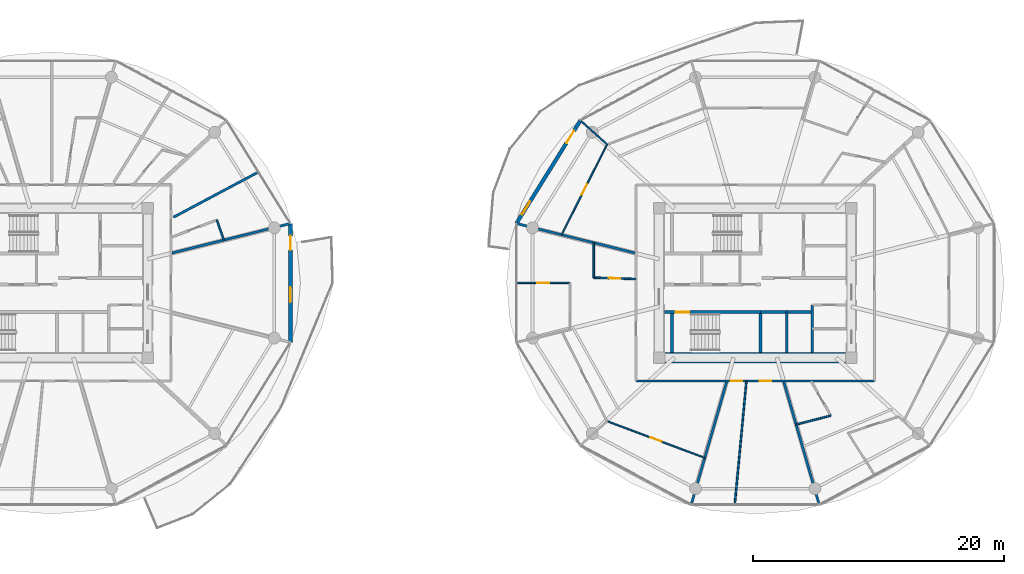
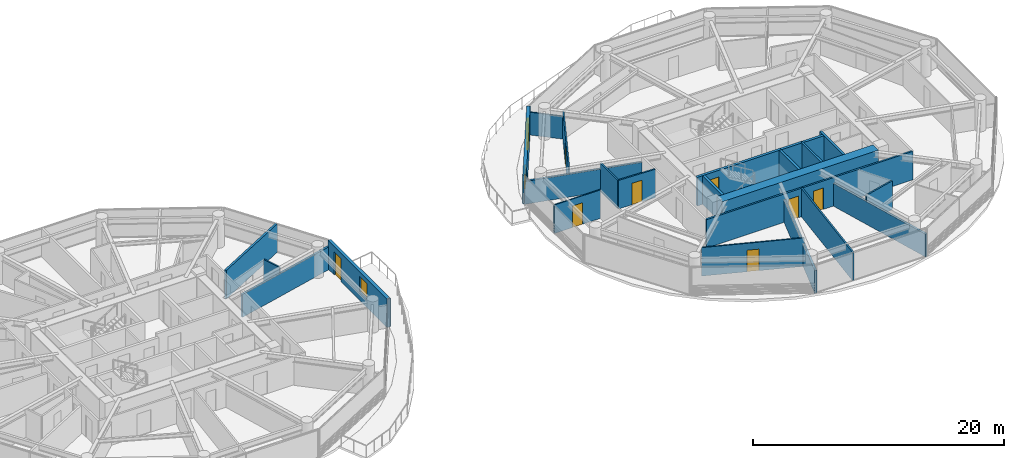
# One storey, part 18 of 27: 24 walls, 9 doors, 2 windows, 11 openings.
"""IFC4 building model written with IfcOpenShell, lengths in metres."""

from ifc_helpers import new_model, si_unit, direction, frame, frame_2d, origin, place, context, subcontext, project, spatial, rectangle, extrude, source, transform, mapped, material, layer, layer_set, type_object, type_shapes, element, fill, save


model = new_model("IFC4")

# Units and contexts
model_context = context("Model", 3, precision=1e-05, world=origin(), true_north=direction((0.0, 1.0)))
body_context = subcontext(model_context, "Body", "Model", "MODEL_VIEW")
ifc_project = project(units=[si_unit("LENGTHUNIT", "METRE"), si_unit("AREAUNIT", "SQUARE_METRE"), si_unit("VOLUMEUNIT", "CUBIC_METRE"), si_unit("PLANEANGLEUNIT", "RADIAN"), si_unit("MASSUNIT", "GRAM", prefix="KILO")], contexts=[model_context])

# Site, building, storey
site_placement = place(None, origin())
site = spatial("IfcSite", under=ifc_project, at=site_placement, CompositionType="ELEMENT")
building_placement = place(site_placement, origin())
building = spatial("IfcBuilding", under=site, at=building_placement, Name="Norrkilde Senior Care Towers", CompositionType="ELEMENT")
storey_placement = place(building_placement, frame((0.0, 0.0, 58.199951171875)))
storey = spatial("IfcBuildingStorey", under=building, at=storey_placement, Name="L17", CompositionType="ELEMENT", Elevation=58.199951171875)

# Wall
ifc_material_1 = material(Name="Concrete C60/75", Category="concrete")
ifc_layer_1 = layer(ifc_material_1, 0.85009765625)
ifc_layer_set_1 = layer_set([ifc_layer_1], Name="Concrete C60/75")
wall_type_1 = type_object("IfcWallType", Name="Core Shear Wall Z1 850", PredefinedType="SHEAR", material=ifc_layer_set_1)
shared_shape_1 = source(origin(), body_context, "Body", "SweptSolid", [
    extrude(rectangle(XDim=14.39990234375, YDim=0.85009765625, at=frame_2d((7.199951171875, 0.0))), origin(), (0.0, 0.0, 1.0), 2.7900390625),
])
type_shapes(wall_type_1, [shared_shape_1])
wall_1_placement = place(storey_placement, frame((35.199951171875, -5.949951171875, 0.0), z_axis=(0.0, 0.0, 1.0), x_axis=(-1.0, 0.0, 0.0)))
element("IfcWall", 1, at=wall_1_placement, inside=storey, type_object=wall_type_1, Name="L17 Core E South Shear Wall", PredefinedType="SHEAR", context=body_context, shape_type="MappedRepresentation", body=[
    mapped(shared_shape_1, transform((0.0, 0.0, 0.0), x_axis=(1.0, 0.0, 0.0), y_axis=(0.0, 1.0, 0.0), z_axis=(0.0, 0.0, 1.0), scale=1.0)),
])

# Wall, openings, door, window
ifc_material_2 = material(Name="Precast concrete C45/55", Category="concrete")
ifc_layer_2 = layer(ifc_material_2, 0.2900390625)
ifc_layer_set_2 = layer_set([ifc_layer_2], Name="Precast concrete C45/55")
wall_type_2 = type_object("IfcWallType", Name="Winter Garden Facade Wall 290", PredefinedType="SOLIDWALL", material=ifc_layer_set_2)
shared_shape_2 = source(origin(), body_context, "Body", "SweptSolid", [
    extrude(rectangle(XDim=9.64892578125, YDim=0.2900390625, at=frame_2d((4.824462890625, 0.0))), origin(), (0.0, 0.0, 1.0), 2.7900390625),
])
wall_2_placement = place(storey_placement, frame((8.990478515625, 4.731201171875, 0.0), z_axis=(0.0, 0.0, 1.0), x_axis=(0.527909458386, 0.849300655684, 0.0)))
wall_2 = element("IfcWall", 2, at=wall_2_placement, inside=storey, type_object=wall_type_2, Name="L17 Drum E Balcony Access Wall 04", PredefinedType="SOLIDWALL", context=body_context, shape_type="MappedRepresentation", body=[
    mapped(shared_shape_2, transform((0.0, 0.0, 0.0), x_axis=(1.0, 0.0, 0.0), y_axis=(0.0, 1.0, 0.0), z_axis=(0.0, 0.0, 1.0), scale=1.0)),
])
opening_1_placement = place(wall_2_placement, frame((7.5400390625, 0.0, 0.0)))
opening_1 = element("IfcOpeningElement", 3, at=opening_1_placement, cuts=wall_2, Name="Opening D-09", PredefinedType="OPENING", context=body_context, shape_type="SweptSolid", body=[
    extrude(rectangle(XDim=1.14990234375, YDim=2.25, at=frame_2d((0.574951171875, 1.125))), frame((0.0, 0.155029296875, 0.0), z_axis=(0.0, -1.0, 0.0), x_axis=(1.0, 0.0, 0.0)), (0.0, 0.0, 1.0), 0.31005859375),
])
opening_2_placement = place(wall_2_placement, frame((0.85009765625, 0.0, 0.85009765625)))
opening_2 = element("IfcOpeningElement", 4, at=opening_2_placement, cuts=wall_2, Name="Opening WN-07", PredefinedType="OPENING", context=body_context, shape_type="SweptSolid", body=[
    extrude(rectangle(XDim=1.199951171875, YDim=1.5, at=frame_2d((0.60009765625, 0.75))), frame((0.0, 0.155029296875, 0.0), z_axis=(0.0, -1.0, 0.0), x_axis=(1.0, 0.0, 0.0)), (0.0, 0.0, 1.0), 0.31005859375),
])
ifc_material_3 = material(Name="Anodised Aluminium", Category="aluminium")
door_type_1 = type_object("IfcDoorType", Name="Terrace and Balcony Glazed Door 1150x2250", OperationType="NOTDEFINED", PredefinedType="DOOR", material=ifc_material_3)
shared_shape_3 = source(origin(), body_context, "Body", "SweptSolid", [
    extrude(rectangle(XDim=1.14990234375, YDim=2.25, at=frame_2d((0.574951171875, 1.125))), frame((0.0, 0.02490234375, 0.0), z_axis=(0.0, -1.0, 0.0), x_axis=(1.0, 0.0, 0.0)), (0.0, 0.0, 1.0), 0.050048828125),
])
type_shapes(door_type_1, [shared_shape_3])
door_1_placement = place(opening_1_placement, origin())
door_1 = element("IfcDoor", 5, at=door_1_placement, inside=storey, type_object=door_type_1, Name="L17 Drum E Outdoor Terrace Door 04", OperationType="SINGLE_SWING_LEFT", OverallHeight=2.25, OverallWidth=1.14990234375, PredefinedType="DOOR", context=body_context, shape_type="MappedRepresentation", body=[
    mapped(shared_shape_3, transform((0.0, 0.0, 0.0), x_axis=(1.0, 0.0, 0.0), y_axis=(0.0, 1.0, 0.0), z_axis=(0.0, 0.0, 1.0), scale=1.0)),
])
fill(opening_1, door_1)
ifc_material_4 = material(Name="Triple Low-E Insulated Glazing", Category="glass")
window_type = type_object("IfcWindowType", Name="Stairwell Smoke Vent Window 1200x1500", PartitioningType="SINGLE_PANEL", PredefinedType="WINDOW", material=ifc_material_4)
shared_shape_4 = source(origin(), body_context, "Body", "SweptSolid", [
    extrude(rectangle(XDim=1.199951171875, YDim=1.5, at=frame_2d((0.60009765625, 0.75))), frame((0.0, 0.030029296875, 0.0), z_axis=(0.0, -1.0, 0.0), x_axis=(1.0, 0.0, 0.0)), (0.0, 0.0, 1.0), 0.06005859375),
])
type_shapes(window_type, [shared_shape_4])
window_1_placement = place(opening_2_placement, origin())
window_1 = element("IfcWindow", 6, at=window_1_placement, inside=storey, type_object=window_type, Name="L17 Drum E Winter Garden Window 04", OverallHeight=1.5, OverallWidth=1.199951171875, PartitioningType="SINGLE_PANEL", PredefinedType="WINDOW", context=body_context, shape_type="MappedRepresentation", body=[
    mapped(shared_shape_4, transform((0.0, 0.0, 0.0), x_axis=(1.0, 0.0, 0.0), y_axis=(0.0, 1.0, 0.0), z_axis=(0.0, 0.0, 1.0), scale=1.0)),
])
fill(opening_2, window_1)

shared_shape_5 = source(origin(), body_context, "Body", "SweptSolid", [
    extrude(rectangle(XDim=9.46240234375, YDim=0.2900390625, at=frame_2d((4.731201171875, 0.0))), origin(), (0.0, 0.0, 1.0), 2.7900390625),
])
type_shapes(wall_type_2, [shared_shape_2, shared_shape_5])
wall_3_placement = place(storey_placement, frame((-8.990478515625, 4.731201171875, 0.0), z_axis=(0.0, 0.0, 1.0), x_axis=(0.0, -1.0, 0.0)))
wall_3 = element("IfcWall", 7, at=wall_3_placement, inside=storey, type_object=wall_type_2, Name="L17 Drum W Balcony Access Wall 11", PredefinedType="SOLIDWALL", context=body_context, shape_type="MappedRepresentation", body=[
    mapped(shared_shape_5, transform((0.0, 0.0, 0.0), x_axis=(1.0, 0.0, 0.0), y_axis=(0.0, 1.0, 0.0), z_axis=(0.0, 0.0, 1.0), scale=1.0)),
])
opening_3_placement = place(wall_3_placement, frame((0.97998046875, 0.0, 0.0)))
opening_3 = element("IfcOpeningElement", 8, at=opening_3_placement, cuts=wall_3, Name="Opening D-09", PredefinedType="OPENING", context=body_context, shape_type="SweptSolid", body=[
    extrude(rectangle(XDim=1.14990234375, YDim=2.25, at=frame_2d((0.574951171875, 1.125))), frame((0.0, 0.155029296875, 0.0), z_axis=(0.0, -1.0, 0.0), x_axis=(1.0, 0.0, 0.0)), (0.0, 0.0, 1.0), 0.31005859375),
])
opening_4_placement = place(wall_3_placement, frame((5.081298828125, 0.0, 0.85009765625)))
opening_4 = element("IfcOpeningElement", 9, at=opening_4_placement, cuts=wall_3, Name="Opening WN-07", PredefinedType="OPENING", context=body_context, shape_type="SweptSolid", body=[
    extrude(rectangle(XDim=1.199951171875, YDim=1.5, at=frame_2d((0.60009765625, 0.75))), frame((0.0, 0.155029296875, 0.0), z_axis=(0.0, -1.0, 0.0), x_axis=(1.0, 0.0, 0.0)), (0.0, 0.0, 1.0), 0.31005859375),
])
door_2_placement = place(opening_3_placement, origin())
door_2 = element("IfcDoor", 10, at=door_2_placement, inside=storey, type_object=door_type_1, Name="L17 Drum W Outdoor Terrace Door 11", OperationType="SINGLE_SWING_RIGHT", OverallHeight=2.25, OverallWidth=1.14990234375, PredefinedType="DOOR", context=body_context, shape_type="MappedRepresentation", body=[
    mapped(shared_shape_3, transform((0.0, 0.0, 0.0), x_axis=(1.0, 0.0, 0.0), y_axis=(0.0, 1.0, 0.0), z_axis=(0.0, 0.0, 1.0), scale=1.0)),
])
fill(opening_3, door_2)
window_2_placement = place(opening_4_placement, origin())
window_2 = element("IfcWindow", 11, at=window_2_placement, inside=storey, type_object=window_type, Name="L17 Drum W Winter Garden Window 11", OverallHeight=1.5, OverallWidth=1.199951171875, PartitioningType="SINGLE_PANEL", PredefinedType="WINDOW", context=body_context, shape_type="MappedRepresentation", body=[
    mapped(shared_shape_4, transform((0.0, 0.0, 0.0), x_axis=(1.0, 0.0, 0.0), y_axis=(0.0, 1.0, 0.0), z_axis=(0.0, 0.0, 1.0), scale=1.0)),
])
fill(opening_4, window_2)

# Wall, opening, door
ifc_material_5 = material(Name="Concrete C45/55", Category="concrete")
ifc_layer_3 = layer(ifc_material_5, 0.239990234375)
ifc_layer_set_3 = layer_set([ifc_layer_3], Name="Concrete C45/55")
wall_type_3 = type_object("IfcWallType", Name="Shaft and Stair Enclosure Wall 240", PredefinedType="PARTITIONING", material=ifc_layer_set_3)
shared_shape_6 = source(origin(), body_context, "Body", "SweptSolid", [
    extrude(rectangle(XDim=7.76513671875, YDim=0.239990234375, at=frame_2d((3.882568359375, 0.0))), origin(), (0.0, 0.0, 1.0), 2.7900390625),
])
wall_4_placement = place(storey_placement, frame((20.77490234375, -2.330078125, 0.0), z_axis=(0.0, 0.0, 1.0), x_axis=(1.0, 0.0, 0.0)))
wall_4 = element("IfcWall", 12, at=wall_4_placement, inside=storey, type_object=wall_type_3, Name="WL-INT-L17-E-ST2N", PredefinedType="PARTITIONING", context=body_context, shape_type="MappedRepresentation", body=[
    mapped(shared_shape_6, transform((0.0, 0.0, 0.0), x_axis=(1.0, 0.0, 0.0), y_axis=(0.0, 1.0, 0.0), z_axis=(0.0, 0.0, 1.0), scale=1.0)),
])
opening_5_placement = place(wall_4_placement, frame((0.885009765625, 0.0, 0.0)))
opening_5 = element("IfcOpeningElement", 13, at=opening_5_placement, cuts=wall_4, Name="Opening D-03", PredefinedType="OPENING", context=body_context, shape_type="SweptSolid", body=[
    extrude(rectangle(XDim=1.10009765625, YDim=2.14990234375, at=frame_2d((0.550048828125, 1.074951171875))), frame((0.0, 0.1298828125, 0.0), z_axis=(0.0, -1.0, 0.0), x_axis=(1.0, 0.0, 0.0)), (0.0, 0.0, 1.0), 0.260009765625),
])
ifc_material_6 = material(Name="Galvanised Painted Steel", Category="steel")
door_type_2 = type_object("IfcDoorType", Name="Stairwell Protected Fire Door 1100x2150", OperationType="NOTDEFINED", PredefinedType="DOOR", material=ifc_material_6)
shared_shape_7 = source(origin(), body_context, "Body", "SweptSolid", [
    extrude(rectangle(XDim=1.10009765625, YDim=2.14990234375, at=frame_2d((0.550048828125, 1.074951171875))), frame((0.0, 0.02490234375, 0.0), z_axis=(0.0, -1.0, 0.0), x_axis=(1.0, 0.0, 0.0)), (0.0, 0.0, 1.0), 0.050048828125),
])
type_shapes(door_type_2, [shared_shape_7])
door_3_placement = place(opening_5_placement, frame((1.10009765625, 0.0, 0.0), z_axis=(0.0, 0.0, 1.0), x_axis=(-1.0, 0.0, 0.0)))
door_3 = element("IfcDoor", 14, at=door_3_placement, inside=storey, type_object=door_type_2, Name="L17 Stair E2 Fire Door", OperationType="SINGLE_SWING_RIGHT", OverallHeight=2.14990234375, OverallWidth=1.10009765625, PredefinedType="DOOR", context=body_context, shape_type="MappedRepresentation", body=[
    mapped(shared_shape_7, transform((0.0, 0.0, 0.0), x_axis=(1.0, 0.0, 0.0), y_axis=(0.0, 1.0, 0.0), z_axis=(0.0, 0.0, 1.0), scale=1.0)),
])
fill(opening_5, door_3)

# Walls
shared_shape_8 = source(origin(), body_context, "Body", "SweptSolid", [
    extrude(rectangle(XDim=3.074951171875, YDim=0.239990234375, at=frame_2d((1.53759765625, 0.0))), origin(), (0.0, 0.0, 1.0), 2.7900390625),
])
type_shapes(wall_type_3, [shared_shape_6, shared_shape_8])
for number, where, z_axis, x_axis, name in (
    (15, (21.3798828125, -5.52490234375, 0.0), (0.0, 0.0, 1.0), (0.0, 1.0, 0.0), "WL-INT-L17-E-ST2W"),
    (16, (28.419921875, -5.52490234375, 0.0), (0.0, 0.0, 1.0), (0.0, 1.0, 0.0), "WL-INT-L17-E-ST2E"),
):
    element("IfcWall", number, at=place(storey_placement, frame(where, z_axis=z_axis, x_axis=x_axis)), inside=storey, type_object=wall_type_3, Name=name, PredefinedType="PARTITIONING", context=body_context, shape_type="MappedRepresentation", body=[
        mapped(shared_shape_8, transform((0.0, 0.0, 0.0), x_axis=(1.0, 0.0, 0.0), y_axis=(0.0, 1.0, 0.0), z_axis=(0.0, 0.0, 1.0), scale=1.0)),
    ])
ifc_layer_4 = layer(ifc_material_5, 0.199951171875)
ifc_layer_set_4 = layer_set([ifc_layer_4], Name="Concrete C45/55")
wall_type_4 = type_object("IfcWallType", Name="Shaft Division and Plant Partition 200", PredefinedType="PARTITIONING", material=ifc_layer_set_4)
shared_shape_9 = source(origin(), body_context, "Body", "SweptSolid", [
    extrude(rectangle(XDim=3.800048828125, YDim=0.199951171875, at=frame_2d((1.89990234375, 0.0))), origin(), (0.0, 0.0, 1.0), 2.775146484375),
])
type_shapes(wall_type_4, [shared_shape_9])
wall_5_placement = place(storey_placement, frame((32.550048828125, -5.550048828125, 0.0), z_axis=(0.0, 0.0, 1.0), x_axis=(0.0, 1.0, 0.0)))
element("IfcWall", 17, at=wall_5_placement, inside=storey, type_object=wall_type_4, Name="WL-INT-L17-E-PKBE", PredefinedType="PARTITIONING", context=body_context, shape_type="MappedRepresentation", body=[
    mapped(shared_shape_9, transform((0.0, 0.0, 0.0), x_axis=(1.0, 0.0, 0.0), y_axis=(0.0, 1.0, 0.0), z_axis=(0.0, 0.0, 1.0), scale=1.0)),
])
ifc_layer_5 = layer(ifc_material_5, 0.239990234375)
ifc_layer_set_5 = layer_set([ifc_layer_5], Name="Concrete C45/55")
wall_type_5 = type_object("IfcWallType", Name="Lift and Plant Rated Enclosure Partition 240", PredefinedType="PARTITIONING", material=ifc_layer_set_5)
shared_shape_10 = source(origin(), body_context, "Body", "SweptSolid", [
    extrude(rectangle(XDim=4.130126953125, YDim=0.239990234375, at=frame_2d((2.06494140625, 0.0))), origin(), (0.0, 0.0, 1.0), 2.775146484375),
])
type_shapes(wall_type_5, [shared_shape_10])
wall_6_placement = place(storey_placement, frame((28.419921875, -2.330078125, 0.0), z_axis=(0.0, 0.0, 1.0), x_axis=(1.0, 0.0, 0.0)))
element("IfcWall", 18, at=wall_6_placement, inside=storey, type_object=wall_type_5, Name="WL-INT-L17-E-PKBN", PredefinedType="PARTITIONING", context=body_context, shape_type="MappedRepresentation", body=[
    mapped(shared_shape_10, transform((0.0, 0.0, 0.0), x_axis=(1.0, 0.0, 0.0), y_axis=(0.0, 1.0, 0.0), z_axis=(0.0, 0.0, 1.0), scale=1.0)),
])
ifc_layer_6 = layer(ifc_material_5, 0.179931640625)
ifc_layer_set_6 = layer_set([ifc_layer_6], Name="Concrete C45/55")
wall_type_6 = type_object("IfcWallType", Name="Hoistway Division Rated Partition 180", PredefinedType="PARTITIONING", material=ifc_layer_set_6)
shared_shape_11 = source(origin(), body_context, "Body", "SweptSolid", [
    extrude(rectangle(XDim=3.219970703125, YDim=0.179931640625, at=frame_2d((1.60986328125, 0.0))), origin(), (0.0, 0.0, 1.0), 2.775146484375),
])
type_shapes(wall_type_6, [shared_shape_11])
wall_7_placement = place(storey_placement, frame((30.5, -5.550048828125, 0.0), z_axis=(0.0, 0.0, 1.0), x_axis=(0.0, 1.0, 0.0)))
element("IfcWall", 19, at=wall_7_placement, inside=storey, type_object=wall_type_6, Name="WL-INT-L17-E-PL34", PredefinedType="PARTITIONING", context=body_context, shape_type="MappedRepresentation", body=[
    mapped(shared_shape_11, transform((0.0, 0.0, 0.0), x_axis=(1.0, 0.0, 0.0), y_axis=(0.0, 1.0, 0.0), z_axis=(0.0, 0.0, 1.0), scale=1.0)),
])

# Wall, openings, doors
ifc_material_7 = material(Name="Gypsum Acoustic Board")
ifc_layer_7 = layer(ifc_material_7, 0.1650390625)
ifc_layer_set_7 = layer_set([ifc_layer_7], Name="Gypsum Acoustic Board")
wall_type_7 = type_object("IfcWallType", Name="Corridor Rated Partition 165", PredefinedType="PARTITIONING", material=ifc_layer_set_7)
shared_shape_12 = source(origin(), body_context, "Body", "SweptSolid", [
    extrude(rectangle(XDim=19.0, YDim=0.1650390625, at=frame_2d((9.5, 0.0))), origin(), (0.0, 0.0, 1.0), 2.775146484375),
])
type_shapes(wall_type_7, [shared_shape_12])
wall_8_placement = place(storey_placement, frame((37.5, -7.800048828125, 0.0), z_axis=(0.0, 0.0, 1.0), x_axis=(-1.0, 0.0, 0.0)))
wall_8 = element("IfcWall", 20, at=wall_8_placement, inside=storey, type_object=wall_type_7, Name="WL-INT-L17-E-CRW-S-0", PredefinedType="PARTITIONING", context=body_context, shape_type="MappedRepresentation", body=[
    mapped(shared_shape_12, transform((0.0, 0.0, 0.0), x_axis=(1.0, 0.0, 0.0), y_axis=(0.0, 1.0, 0.0), z_axis=(0.0, 0.0, 1.0), scale=1.0)),
])
opening_6_placement = place(wall_8_placement, frame((10.523193359375, 0.0, 0.0)))
opening_6 = element("IfcOpeningElement", 21, at=opening_6_placement, cuts=wall_8, Name="Opening D-08", PredefinedType="OPENING", context=body_context, shape_type="SweptSolid", body=[
    extrude(rectangle(XDim=0.919921875, YDim=2.10009765625, at=frame_2d((0.4599609375, 1.050048828125))), frame((0.0, 0.092529296875, 0.0), z_axis=(0.0, -1.0, 0.0), x_axis=(1.0, 0.0, 0.0)), (0.0, 0.0, 1.0), 0.18505859375),
])
opening_7_placement = place(wall_8_placement, frame((8.2255859375, 0.0, 0.0)))
opening_7 = element("IfcOpeningElement", 22, at=opening_7_placement, cuts=wall_8, Name="Opening D-08", PredefinedType="OPENING", context=body_context, shape_type="SweptSolid", body=[
    extrude(rectangle(XDim=0.919921875, YDim=2.10009765625, at=frame_2d((0.4599609375, 1.050048828125))), frame((0.0, 0.092529296875, 0.0), z_axis=(0.0, -1.0, 0.0), x_axis=(1.0, 0.0, 0.0)), (0.0, 0.0, 1.0), 0.18505859375),
])
ifc_material_8 = material(Name="Nordic Ash Timber", Category="wood")
door_type_3 = type_object("IfcDoorType", Name="Accessible Wet Room Door 920x2100", OperationType="NOTDEFINED", PredefinedType="DOOR", material=ifc_material_8)
shared_shape_13 = source(origin(), body_context, "Body", "SweptSolid", [
    extrude(rectangle(XDim=0.919921875, YDim=2.10009765625, at=frame_2d((0.4599609375, 1.050048828125))), frame((0.0, 0.02490234375, 0.0), z_axis=(0.0, -1.0, 0.0), x_axis=(1.0, 0.0, 0.0)), (0.0, 0.0, 1.0), 0.050048828125),
])
type_shapes(door_type_3, [shared_shape_13])
door_4_placement = place(opening_6_placement, frame((0.919921875, 0.0, 0.0), z_axis=(0.0, 0.0, 1.0), x_axis=(-1.0, 0.0, 0.0)))
door_4 = element("IfcDoor", 23, at=door_4_placement, inside=storey, type_object=door_type_3, Name="L17 Accessible Restroom Door", OperationType="SINGLE_SWING_LEFT", OverallHeight=2.10009765625, OverallWidth=0.919921875, PredefinedType="DOOR", context=body_context, shape_type="MappedRepresentation", body=[
    mapped(shared_shape_13, transform((0.0, 0.0, 0.0), x_axis=(1.0, 0.0, 0.0), y_axis=(0.0, 1.0, 0.0), z_axis=(0.0, 0.0, 1.0), scale=1.0)),
])
fill(opening_6, door_4)
door_5_placement = place(opening_7_placement, frame((0.919921875, 0.0, 0.0), z_axis=(0.0, 0.0, 1.0), x_axis=(-1.0, 0.0, 0.0)))
door_5 = element("IfcDoor", 24, at=door_5_placement, inside=storey, type_object=door_type_3, Name="L17 Public Restroom Door", OperationType="SINGLE_SWING_RIGHT", OverallHeight=2.10009765625, OverallWidth=0.919921875, PredefinedType="DOOR", context=body_context, shape_type="MappedRepresentation", body=[
    mapped(shared_shape_13, transform((0.0, 0.0, 0.0), x_axis=(1.0, 0.0, 0.0), y_axis=(0.0, 1.0, 0.0), z_axis=(0.0, 0.0, 1.0), scale=1.0)),
])
fill(opening_7, door_5)

# Walls
ifc_layer_8 = layer(ifc_material_7, 0.18994140625)
ifc_layer_set_8 = layer_set([ifc_layer_8], Name="Gypsum Acoustic Board")
wall_type_8 = type_object("IfcWallType", Name="Unit Demising Acoustic Wall 190", PredefinedType="PARTITIONING", material=ifc_layer_set_8)
shared_shape_14 = source(origin(), body_context, "Body", "SweptSolid", [
    extrude(rectangle(XDim=10.196044921875, YDim=0.18994140625, at=frame_2d((5.09814453125, 0.0))), origin(), (0.0, 0.0, 1.0), 2.22509765625),
])
for number, where, z_axis, x_axis, name in (
    (25, (25.72705078125, -7.8798828125, 0.0), (0.0, 0.0, 1.0), (-0.277136420347, -0.960830580549, 0.0), "WL-INT-L17-E-DEM-08-0"),
    (26, (30.27294921875, -7.8798828125, 0.0), (0.0, 0.0, 1.0), (0.277136420347, -0.960830580549, 0.0), "WL-INT-L17-E-DEM-09-0"),
):
    element("IfcWall", number, at=place(storey_placement, frame(where, z_axis=z_axis, x_axis=x_axis)), inside=storey, type_object=wall_type_8, Name=name, PredefinedType="PARTITIONING", context=body_context, shape_type="MappedRepresentation", body=[
        mapped(shared_shape_14, transform((0.0, 0.0, 0.0), x_axis=(1.0, 0.0, 0.0), y_axis=(0.0, 1.0, 0.0), z_axis=(0.0, 0.0, 1.0), scale=1.0)),
    ])
shared_shape_15 = source(origin(), body_context, "Body", "SweptSolid", [
    extrude(rectangle(XDim=9.737060546875, YDim=0.18994140625, at=frame_2d((4.86865234375, 0.0))), origin(), (0.0, 0.0, 1.0), 2.22509765625),
])
for number, where, z_axis, x_axis, name in (
    (27, (-18.419921875, 2.384521484375, 0.0), (0.0, 0.0, 1.0), (0.970392716238, 0.241532557375, 0.0), "WL-INT-L17-W-DEM-00-0"),
    (28, (18.419921875, 2.384521484375, 0.0), (0.0, 0.0, 1.0), (-0.970392716238, 0.241532557375, 0.0), "WL-INT-L17-E-DEM-05-0"),
):
    element("IfcWall", number, at=place(storey_placement, frame(where, z_axis=z_axis, x_axis=x_axis)), inside=storey, type_object=wall_type_8, Name=name, PredefinedType="PARTITIONING", context=body_context, shape_type="MappedRepresentation", body=[
        mapped(shared_shape_15, transform((0.0, 0.0, 0.0), x_axis=(1.0, 0.0, 0.0), y_axis=(0.0, 1.0, 0.0), z_axis=(0.0, 0.0, 1.0), scale=1.0)),
    ])
shared_shape_16 = source(origin(), body_context, "Body", "SweptSolid", [
    extrude(rectangle(XDim=7.6767578125, YDim=0.18994140625, at=frame_2d((3.83837890625, 0.0))), origin(), (0.0, 0.0, 1.0), 2.775146484375),
])
type_shapes(wall_type_8, [shared_shape_14, shared_shape_15, shared_shape_16])
wall_9_placement = place(storey_placement, frame((-18.296875, 5.23095703125, 0.0), z_axis=(0.0, 0.0, 1.0), x_axis=(0.882725057546, 0.469889851753, 0.0)))
element("IfcWall", 29, at=wall_9_placement, inside=storey, type_object=wall_type_8, Name="WL-INT-L17-W-CMID-00", PredefinedType="PARTITIONING", context=body_context, shape_type="MappedRepresentation", body=[
    mapped(shared_shape_16, transform((0.0, 0.0, 0.0), x_axis=(1.0, 0.0, 0.0), y_axis=(0.0, 1.0, 0.0), z_axis=(0.0, 0.0, 1.0), scale=1.0)),
])
ifc_layer_9 = layer(ifc_material_7, 0.139892578125)
ifc_layer_set_9 = layer_set([ifc_layer_9], Name="Gypsum Acoustic Board")
wall_type_9 = type_object("IfcWallType", Name="En-suite Wet Room Wall 140", PredefinedType="PARTITIONING", material=ifc_layer_set_9)
shared_shape_17 = source(origin(), body_context, "Body", "SweptSolid", [
    extrude(rectangle(XDim=1.67578125, YDim=0.139892578125, at=frame_2d((0.837890625, 0.0))), origin(), (0.0, 0.0, 1.0), 2.775146484375),
])
wall_10_placement = place(storey_placement, frame((-14.849853515625, 5.010986328125, 0.0), z_axis=(0.0, 0.0, 1.0), x_axis=(0.327785970556, -0.944752008469, 0.0)))
element("IfcWall", 30, at=wall_10_placement, inside=storey, type_object=wall_type_9, Name="WL-INT-L17-W-EF-00A", PredefinedType="PARTITIONING", context=body_context, shape_type="MappedRepresentation", body=[
    mapped(shared_shape_17, transform((0.0, 0.0, 0.0), x_axis=(1.0, 0.0, 0.0), y_axis=(0.0, 1.0, 0.0), z_axis=(0.0, 0.0, 1.0), scale=1.0)),
])

# Wall, opening, door
ifc_layer_10 = layer(ifc_material_7, 0.114990234375)
ifc_layer_set_10 = layer_set([ifc_layer_10], Name="Gypsum Acoustic Board")
wall_type_10 = type_object("IfcWallType", Name="Internal Room Partition 115", PredefinedType="PARTITIONING", material=ifc_layer_set_10)
shared_shape_18 = source(origin(), body_context, "Body", "SweptSolid", [
    extrude(rectangle(XDim=8.017822265625, YDim=0.114990234375, at=frame_2d((4.0087890625, 0.0))), origin(), (0.0, 0.0, 1.0), 2.775146484375),
])
wall_11_placement = place(storey_placement, frame((16.205078125, 11.013916015625, 0.0), z_axis=(0.0, 0.0, 1.0), x_axis=(-0.450134355233, -0.89296084026, 0.0)))
wall_11 = element("IfcWall", 31, at=wall_11_placement, inside=storey, type_object=wall_type_10, Name="WL-INT-L17-E-UBC-01-3", PredefinedType="PARTITIONING", context=body_context, shape_type="MappedRepresentation", body=[
    mapped(shared_shape_18, transform((0.0, 0.0, 0.0), x_axis=(1.0, 0.0, 0.0), y_axis=(0.0, 1.0, 0.0), z_axis=(0.0, 0.0, 1.0), scale=1.0)),
])
opening_8_placement = place(wall_11_placement, frame((3.533935546875, 0.0, 0.0)))
opening_8 = element("IfcOpeningElement", 32, at=opening_8_placement, cuts=wall_11, Name="Opening D-07", PredefinedType="OPENING", context=body_context, shape_type="SweptSolid", body=[
    extrude(rectangle(XDim=0.949951171875, YDim=2.10009765625, at=frame_2d((0.47509765625, 1.050048828125))), frame((0.0, 0.0673828125, 0.0), z_axis=(0.0, -1.0, 0.0), x_axis=(1.0, 0.0, 0.0)), (0.0, 0.0, 1.0), 0.135009765625),
])
door_type_4 = type_object("IfcDoorType", Name="Internal Suite Bedroom Door 950x2100", OperationType="NOTDEFINED", PredefinedType="DOOR", material=ifc_material_8)
shared_shape_19 = source(origin(), body_context, "Body", "SweptSolid", [
    extrude(rectangle(XDim=0.949951171875, YDim=2.10009765625, at=frame_2d((0.47509765625, 1.050048828125))), frame((0.0, 0.02490234375, 0.0), z_axis=(0.0, -1.0, 0.0), x_axis=(1.0, 0.0, 0.0)), (0.0, 0.0, 1.0), 0.050048828125),
])
type_shapes(door_type_4, [shared_shape_19])
door_6_placement = place(opening_8_placement, origin())
door_6 = element("IfcDoor", 33, at=door_6_placement, inside=storey, type_object=door_type_4, Name="Apartment 17D Bedroom 3 Door", OperationType="SINGLE_SWING_LEFT", OverallHeight=2.10009765625, OverallWidth=0.949951171875, PredefinedType="DOOR", context=body_context, shape_type="MappedRepresentation", body=[
    mapped(shared_shape_19, transform((0.0, 0.0, 0.0), x_axis=(1.0, 0.0, 0.0), y_axis=(0.0, 1.0, 0.0), z_axis=(0.0, 0.0, 1.0), scale=1.0)),
])
fill(opening_8, door_6)

# Wall
shared_shape_20 = source(origin(), body_context, "Body", "SweptSolid", [
    extrude(rectangle(XDim=2.8681640625, YDim=0.139892578125, at=frame_2d((1.43408203125, 0.0))), origin(), (0.0, 0.0, 1.0), 2.775146484375),
])
wall_12_placement = place(storey_placement, frame((34.012939453125, -10.5595703125, 0.0), z_axis=(0.0, 0.0, 1.0), x_axis=(-0.968467705195, -0.249139125778, 0.0)))
element("IfcWall", 34, at=wall_12_placement, inside=storey, type_object=wall_type_9, Name="WL-INT-L17-E-UBTF-09", PredefinedType="PARTITIONING", context=body_context, shape_type="MappedRepresentation", body=[
    mapped(shared_shape_20, transform((0.0, 0.0, 0.0), x_axis=(1.0, 0.0, 0.0), y_axis=(0.0, 1.0, 0.0), z_axis=(0.0, 0.0, 1.0), scale=1.0)),
])

# Wall, opening, door
shared_shape_21 = source(origin(), body_context, "Body", "SweptSolid", [
    extrude(rectangle(XDim=8.31982421875, YDim=0.114990234375, at=frame_2d((4.159912109375, 0.0))), origin(), (0.0, 0.0, 1.0), 2.775146484375),
])
wall_13_placement = place(storey_placement, frame((16.2138671875, -11.005615234375, 0.0), z_axis=(0.0, 0.0, 1.0), x_axis=(0.936180763098, -0.351518959382, 0.0)))
wall_13 = element("IfcWall", 35, at=wall_13_placement, inside=storey, type_object=wall_type_10, Name="WL-INT-L17-E-UBC-05-2", PredefinedType="PARTITIONING", context=body_context, shape_type="MappedRepresentation", body=[
    mapped(shared_shape_21, transform((0.0, 0.0, 0.0), x_axis=(1.0, 0.0, 0.0), y_axis=(0.0, 1.0, 0.0), z_axis=(0.0, 0.0, 1.0), scale=1.0)),
])
opening_9_placement = place(wall_13_placement, frame((3.684814453125, 0.0, 0.0)))
opening_9 = element("IfcOpeningElement", 36, at=opening_9_placement, cuts=wall_13, Name="Opening D-07", PredefinedType="OPENING", context=body_context, shape_type="SweptSolid", body=[
    extrude(rectangle(XDim=0.949951171875, YDim=2.10009765625, at=frame_2d((0.47509765625, 1.050048828125))), frame((0.0, 0.0673828125, 0.0), z_axis=(0.0, -1.0, 0.0), x_axis=(1.0, 0.0, 0.0)), (0.0, 0.0, 1.0), 0.135009765625),
])
door_7_placement = place(opening_9_placement, frame((0.949951171875, 0.0, 0.0), z_axis=(0.0, 0.0, 1.0), x_axis=(-1.0, 0.0, 0.0)))
door_7 = element("IfcDoor", 37, at=door_7_placement, inside=storey, type_object=door_type_4, Name="Apartment 17A Bedroom 2 Door", OperationType="SINGLE_SWING_RIGHT", OverallHeight=2.10009765625, OverallWidth=0.949951171875, PredefinedType="DOOR", context=body_context, shape_type="MappedRepresentation", body=[
    mapped(shared_shape_19, transform((0.0, 0.0, 0.0), x_axis=(1.0, 0.0, 0.0), y_axis=(0.0, 1.0, 0.0), z_axis=(0.0, 0.0, 1.0), scale=1.0)),
])
fill(opening_9, door_7)

shared_shape_22 = source(origin(), body_context, "Body", "SweptSolid", [
    extrude(rectangle(XDim=3.323486328125, YDim=0.139892578125, at=frame_2d((1.66162109375, 0.0))), origin(), (0.0, 0.0, 1.0), 2.775146484375),
])
wall_14_placement = place(storey_placement, frame((18.469970703125, 0.310791015625, 0.0), z_axis=(0.0, 0.0, 1.0), x_axis=(-0.999467979553, 0.032615300817, 0.0)))
wall_14 = element("IfcWall", 38, at=wall_14_placement, inside=storey, type_object=wall_type_9, Name="WL-INT-L17-E-UBTS-05", PredefinedType="PARTITIONING", context=body_context, shape_type="MappedRepresentation", body=[
    mapped(shared_shape_22, transform((0.0, 0.0, 0.0), x_axis=(1.0, 0.0, 0.0), y_axis=(0.0, 1.0, 0.0), z_axis=(0.0, 0.0, 1.0), scale=1.0)),
])
opening_10_placement = place(wall_14_placement, frame((1.201904296875, 0.0, 0.0)))
opening_10 = element("IfcOpeningElement", 39, at=opening_10_placement, cuts=wall_14, Name="Opening D-08", PredefinedType="OPENING", context=body_context, shape_type="SweptSolid", body=[
    extrude(rectangle(XDim=0.919921875, YDim=2.10009765625, at=frame_2d((0.4599609375, 1.050048828125))), frame((0.0, 0.079833984375, 0.0), z_axis=(0.0, -1.0, 0.0), x_axis=(1.0, 0.0, 0.0)), (0.0, 0.0, 1.0), 0.159912109375),
])
door_8_placement = place(opening_10_placement, origin())
door_8 = element("IfcDoor", 40, at=door_8_placement, inside=storey, type_object=door_type_3, Name="Apartment 17A Bathroom Door", OperationType="SINGLE_SWING_LEFT", OverallHeight=2.10009765625, OverallWidth=0.919921875, PredefinedType="DOOR", context=body_context, shape_type="MappedRepresentation", body=[
    mapped(shared_shape_13, transform((0.0, 0.0, 0.0), x_axis=(1.0, 0.0, 0.0), y_axis=(0.0, 1.0, 0.0), z_axis=(0.0, 0.0, 1.0), scale=1.0)),
])
fill(opening_10, door_8)

# Walls
shared_shape_23 = source(origin(), body_context, "Body", "SweptSolid", [
    extrude(rectangle(XDim=2.795166015625, YDim=0.139892578125, at=frame_2d((1.3974609375, 0.0))), origin(), (0.0, 0.0, 1.0), 2.775146484375),
])
wall_15_placement = place(storey_placement, frame((15.148193359375, 0.419189453125, 0.0), z_axis=(0.0, 0.0, 1.0), x_axis=(0.001659531299, 0.999998622977, 0.0)))
element("IfcWall", 41, at=wall_15_placement, inside=storey, type_object=wall_type_9, Name="WL-INT-L17-E-UBTF-05", PredefinedType="PARTITIONING", context=body_context, shape_type="MappedRepresentation", body=[
    mapped(shared_shape_23, transform((0.0, 0.0, 0.0), x_axis=(1.0, 0.0, 0.0), y_axis=(0.0, 1.0, 0.0), z_axis=(0.0, 0.0, 1.0), scale=1.0)),
])
shared_shape_24 = source(origin(), body_context, "Body", "SweptSolid", [
    extrude(rectangle(XDim=9.89013671875, YDim=0.139892578125, at=frame_2d((4.945068359375, 0.0))), origin(), (0.0, 0.0, 1.0), 2.775146484375),
])
type_shapes(wall_type_9, [shared_shape_17, shared_shape_20, shared_shape_22, shared_shape_23, shared_shape_24])
wall_16_placement = place(storey_placement, frame((27.2958984375, -7.830078125, 0.0), z_axis=(0.0, 0.0, 1.0), x_axis=(-0.093780403478, -0.995592906726, 0.0)))
element("IfcWall", 42, at=wall_16_placement, inside=storey, type_object=wall_type_9, Name="WL-INT-L17-E-MID-08", PredefinedType="PARTITIONING", context=body_context, shape_type="MappedRepresentation", body=[
    mapped(shared_shape_24, transform((0.0, 0.0, 0.0), x_axis=(1.0, 0.0, 0.0), y_axis=(0.0, 1.0, 0.0), z_axis=(0.0, 0.0, 1.0), scale=1.0)),
])

# Wall, opening, door
shared_shape_25 = source(origin(), body_context, "Body", "SweptSolid", [
    extrude(rectangle(XDim=4.27880859375, YDim=0.114990234375, at=frame_2d((2.139404296875, 0.0))), origin(), (0.0, 0.0, 1.0), 2.775146484375),
])
wall_17_placement = place(storey_placement, frame((13.25, 0.0, 0.0), z_axis=(0.0, 0.0, 1.0), x_axis=(-1.0, 0.0, 0.0)))
wall_17 = element("IfcWall", 43, at=wall_17_placement, inside=storey, type_object=wall_type_10, Name="WL-INT-L17-E-UKTS-05", PredefinedType="PARTITIONING", context=body_context, shape_type="MappedRepresentation", body=[
    mapped(shared_shape_25, transform((0.0, 0.0, 0.0), x_axis=(1.0, 0.0, 0.0), y_axis=(0.0, 1.0, 0.0), z_axis=(0.0, 0.0, 1.0), scale=1.0)),
])
opening_11_placement = place(wall_17_placement, frame((1.664306640625, 0.0, 0.0)))
opening_11 = element("IfcOpeningElement", 44, at=opening_11_placement, cuts=wall_17, Name="Opening D-07", PredefinedType="OPENING", context=body_context, shape_type="SweptSolid", body=[
    extrude(rectangle(XDim=0.949951171875, YDim=2.10009765625, at=frame_2d((0.47509765625, 1.050048828125))), frame((0.0, 0.0673828125, 0.0), z_axis=(0.0, -1.0, 0.0), x_axis=(1.0, 0.0, 0.0)), (0.0, 0.0, 1.0), 0.135009765625),
])
door_9_placement = place(opening_11_placement, frame((0.949951171875, 0.0, 0.0), z_axis=(0.0, 0.0, 1.0), x_axis=(-1.0, 0.0, 0.0)))
door_9 = element("IfcDoor", 45, at=door_9_placement, inside=storey, type_object=door_type_4, Name="Apartment 17A Kitchen Door", OperationType="SINGLE_SWING_RIGHT", OverallHeight=2.10009765625, OverallWidth=0.949951171875, PredefinedType="DOOR", context=body_context, shape_type="MappedRepresentation", body=[
    mapped(shared_shape_19, transform((0.0, 0.0, 0.0), x_axis=(1.0, 0.0, 0.0), y_axis=(0.0, 1.0, 0.0), z_axis=(0.0, 0.0, 1.0), scale=1.0)),
])
fill(opening_11, door_9)

# Wall
shared_shape_26 = source(origin(), body_context, "Body", "SweptSolid", [
    extrude(rectangle(XDim=2.87548828125, YDim=0.114990234375, at=frame_2d((1.437744140625, 0.0))), origin(), (0.0, 0.0, 1.0), 2.22509765625),
])
type_shapes(wall_type_10, [shared_shape_18, shared_shape_21, shared_shape_25, shared_shape_26])
wall_18_placement = place(storey_placement, frame((16.205078125, 11.013916015625, 0.0), z_axis=(0.0, 0.0, 1.0), x_axis=(-0.742512588127, 0.669832110661, 0.0)))
element("IfcWall", 46, at=wall_18_placement, inside=storey, type_object=wall_type_10, Name="WL-INT-L17-E-UBR-01-3", PredefinedType="PARTITIONING", context=body_context, shape_type="MappedRepresentation", body=[
    mapped(shared_shape_26, transform((0.0, 0.0, 0.0), x_axis=(1.0, 0.0, 0.0), y_axis=(0.0, 1.0, 0.0), z_axis=(0.0, 0.0, 1.0), scale=1.0)),
])

save(model, "model.ifc")
